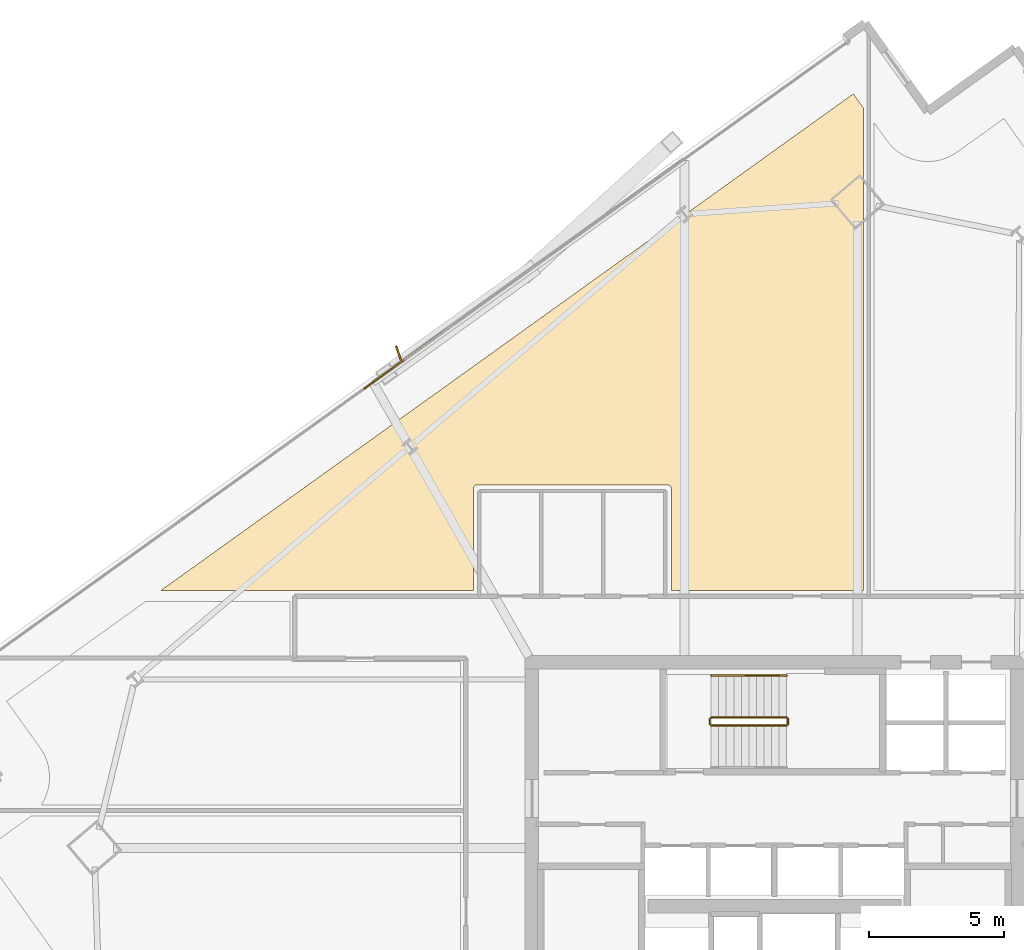
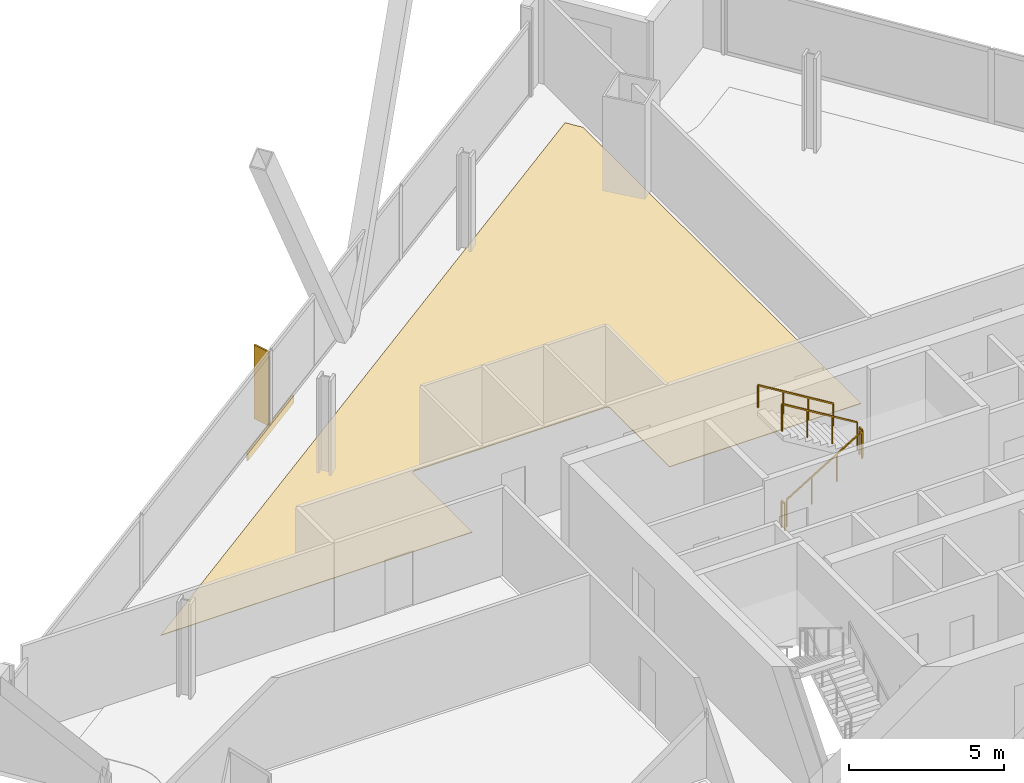
# One storey, part 32 of 33: 5 railings, 2 coverings, 1 shading device.
"""IFC4 building model written with IfcOpenShell, lengths in metres."""

from ifc_helpers import new_model, si_unit, direction, frame, origin, origin_2d, place, context, subcontext, project, spatial, polyline, rectangle, outline, extrude, source, transform, mapped, material, layer, layer_set, type_object, element, save


model = new_model("IFC4")

# Units and contexts
model_context = context("Model", 3, precision=1e-05, world=origin(), true_north=direction((0.0, 1.0)))
body_context = subcontext(model_context, "Body", "Model", "MODEL_VIEW")
ifc_project = project(units=[si_unit("LENGTHUNIT", "METRE"), si_unit("AREAUNIT", "SQUARE_METRE"), si_unit("VOLUMEUNIT", "CUBIC_METRE"), si_unit("PLANEANGLEUNIT", "RADIAN"), si_unit("MASSUNIT", "GRAM", prefix="KILO")], contexts=[model_context])

# Site, building, storey
site_placement = place(None, origin())
site = spatial("IfcSite", under=ifc_project, at=site_placement, CompositionType="ELEMENT")
building_placement = place(site_placement, origin())
building = spatial("IfcBuilding", under=site, at=building_placement, Name="Haldenkirk Collegiate Tower", CompositionType="ELEMENT")
storey_placement = place(building_placement, frame((0.0, 0.0, 148.199951171875)))
storey = spatial("IfcBuildingStorey", under=building, at=storey_placement, Name="L36", CompositionType="ELEMENT", Elevation=148.199951171875)

# Covering
ifc_material_1 = material(Name="Engineered collegiate oak acoustic flooring", Category="wood")
ifc_layer_1 = layer(ifc_material_1, 0.02197265625)
ifc_layer_set_1 = layer_set([ifc_layer_1], Name="Engineered collegiate oak acoustic flooring")
covering_type_1 = type_object("IfcCoveringType", Name="COV-FLOOR-TIMBER", PredefinedType="FLOORING", material=ifc_layer_set_1)
covering_1_placement = place(storey_placement, origin())
element("IfcCovering", 1, at=covering_1_placement, inside=storey, type_object=covering_type_1, Name="L36 academic room finish 05", PredefinedType="FLOORING", context=body_context, shape_type="SweptSolid", body=[
    extrude(outline(polyline([(39.300048828125, 54.564697265625), (39.300048828125, 36.64990234375), (32.169921875, 36.64990234375), (32.169921875, 40.449951171875), (32.16943359375, 40.4619140625), (32.167724609375, 40.473388671875), (32.164794921875, 40.48486328125), (32.160888671875, 40.495849609375), (32.15576171875, 40.506591796875), (32.14990234375, 40.5166015625), (32.142822265625, 40.526123046875), (32.135009765625, 40.534912109375), (32.126220703125, 40.542724609375), (32.11669921875, 40.5498046875), (32.106689453125, 40.555908203125), (32.095947265625, 40.560791015625), (32.084716796875, 40.564697265625), (32.073486328125, 40.567626953125), (32.061767578125, 40.5693359375), (32.050048828125, 40.570068359375), (24.949951171875, 40.570068359375), (24.938232421875, 40.5693359375), (24.926513671875, 40.567626953125), (24.915283203125, 40.564697265625), (24.904052734375, 40.560791015625), (24.893310546875, 40.555908203125), (24.88330078125, 40.5498046875), (24.873779296875, 40.542724609375), (24.864990234375, 40.534912109375), (24.857177734375, 40.526123046875), (24.85009765625, 40.5166015625), (24.84423828125, 40.506591796875), (24.839111328125, 40.495849609375), (24.835205078125, 40.48486328125), (24.832275390625, 40.473388671875), (24.83056640625, 40.4619140625), (24.830078125, 40.449951171875), (24.830078125, 36.64990234375), (13.2216796875, 36.64990234375), (38.92578125, 55.086181640625), (39.300048828125, 54.564697265625)])), origin(), (0.0, 0.0, 1.0), 0.02197265625),
])

# Railings
ifc_material_2 = material(Name="Painted architectural tubular steel", Category="steel")
railing_type_1 = type_object("IfcRailingType", Name="RLG-STAIR-GUARD-1100", PredefinedType="BALUSTRADE", material=ifc_material_2)
railing_1_placement = place(storey_placement, frame((33.64990234375, 31.64990234375, 0.17041015625)))
element("IfcRailing", 2, at=railing_1_placement, inside=storey, type_object=railing_type_1, Name="L36 ST-3 stair guard 1", PredefinedType="BALUSTRADE", context=body_context, shape_type="SweptSolid", body=[
    extrude(rectangle(XDim=0.048095703125, YDim=0.048095703125, at=origin_2d()), frame((0.0, 0.0, 1.076171875), z_axis=(0.854169791009, 0.0, 0.51999420009), x_axis=(0.0, 1.0, 0.0)), (0.0, 0.0, 1.0), 3.278076171875),
    extrude(rectangle(XDim=0.0419921875, YDim=0.0419921875, at=origin_2d()), origin(), (0.0, 0.0, 1.0), 1.052001953125),
    extrude(rectangle(XDim=0.0419921875, YDim=0.0419921875, at=origin_2d()), frame((0.933349609375, 0.0, 0.568115234375)), (0.0, 0.0, 1.0), 1.052001953125),
    extrude(rectangle(XDim=0.0419921875, YDim=0.0419921875, at=origin_2d()), frame((1.86669921875, 0.0, 1.136474609375)), (0.0, 0.0, 1.0), 1.052001953125),
    extrude(rectangle(XDim=0.0419921875, YDim=0.0419921875, at=origin_2d()), frame((2.800048828125, 0.0, 1.70458984375)), (0.0, 0.0, 1.0), 1.052001953125),
])
railing_2_placement = place(storey_placement, frame((36.5, 31.699951171875, 1.875)))
element("IfcRailing", 3, at=railing_2_placement, inside=storey, type_object=railing_type_1, Name="L36 ST-3 stair guard 2", PredefinedType="BALUSTRADE", context=body_context, shape_type="SweptSolid", body=[
    extrude(rectangle(XDim=0.048095703125, YDim=0.048095703125, at=origin_2d()), frame((0.0, 0.0, 1.076171875), z_axis=(0.0, 1.0, 0.0), x_axis=(-1.0, 0.0, 0.0)), (0.0, 0.0, 1.0), 0.199951171875),
    extrude(rectangle(XDim=0.0419921875, YDim=0.0419921875, at=origin_2d()), origin(), (0.0, 0.0, 1.0), 1.052001953125),
    extrude(rectangle(XDim=0.0419921875, YDim=0.0419921875, at=origin_2d()), frame((0.0, 0.199951171875, 0.0)), (0.0, 0.0, 1.0), 1.052001953125),
])
railing_3_placement = place(storey_placement, frame((36.449951171875, 31.949951171875, 2.04541015625)))
element("IfcRailing", 4, at=railing_3_placement, inside=storey, type_object=railing_type_1, Name="L36 ST-3 stair guard 3", PredefinedType="BALUSTRADE", context=body_context, shape_type="SweptSolid", body=[
    extrude(rectangle(XDim=0.048095703125, YDim=0.048095703125, at=origin_2d()), frame((0.0, 0.0, 1.076171875), z_axis=(-0.854169791009, 0.0, 0.51999420009), x_axis=(0.0, -1.0, 0.0)), (0.0, 0.0, 1.0), 3.278076171875),
    extrude(rectangle(XDim=0.0419921875, YDim=0.0419921875, at=origin_2d()), origin(), (0.0, 0.0, 1.0), 1.052001953125),
    extrude(rectangle(XDim=0.0419921875, YDim=0.0419921875, at=origin_2d()), frame((-0.933349609375, 0.0, 0.568115234375)), (0.0, 0.0, 1.0), 1.052001953125),
    extrude(rectangle(XDim=0.0419921875, YDim=0.0419921875, at=origin_2d()), frame((-1.86669921875, 0.0, 1.136474609375)), (0.0, 0.0, 1.0), 1.052001953125),
    extrude(rectangle(XDim=0.0419921875, YDim=0.0419921875, at=origin_2d()), frame((-2.800048828125, 0.0, 1.70458984375)), (0.0, 0.0, 1.0), 1.052001953125),
])
railing_4_placement = place(storey_placement, frame((33.60009765625, 31.699951171875, 0.0)))
element("IfcRailing", 5, at=railing_4_placement, inside=storey, type_object=railing_type_1, Name="L36 ST-3 stair guard 4", PredefinedType="BALUSTRADE", context=body_context, shape_type="SweptSolid", body=[
    extrude(rectangle(XDim=0.048095703125, YDim=0.048095703125, at=origin_2d()), frame((0.0, 0.0, 1.076171875), z_axis=(0.0, 1.0, 0.0), x_axis=(-1.0, 0.0, 0.0)), (0.0, 0.0, 1.0), 0.199951171875),
    extrude(rectangle(XDim=0.0419921875, YDim=0.0419921875, at=origin_2d()), origin(), (0.0, 0.0, 1.0), 1.052001953125),
    extrude(rectangle(XDim=0.0419921875, YDim=0.0419921875, at=origin_2d()), frame((0.0, 0.199951171875, 0.0)), (0.0, 0.0, 1.0), 1.052001953125),
])
railing_type_2 = type_object("IfcRailingType", Name="RLG-STAIR-HANDRAIL-900", PredefinedType="HANDRAIL", material=ifc_material_2)
railing_5_placement = place(storey_placement, frame((36.449951171875, 33.5, 2.04541015625)))
element("IfcRailing", 6, at=railing_5_placement, inside=storey, type_object=railing_type_2, Name="L36 ST-3 stair handrail 2", PredefinedType="HANDRAIL", context=body_context, shape_type="SweptSolid", body=[
    extrude(rectangle(XDim=0.048095703125, YDim=0.048095703125, at=origin_2d()), frame((0.0, 0.0, 0.8759765625), z_axis=(-0.854169791009, 0.0, 0.51999420009), x_axis=(0.0, -1.0, 0.0)), (0.0, 0.0, 1.0), 3.278076171875),
    extrude(rectangle(XDim=0.0419921875, YDim=0.0419921875, at=origin_2d()), origin(), (0.0, 0.0, 1.0), 0.851806640625),
    extrude(rectangle(XDim=0.0419921875, YDim=0.0419921875, at=origin_2d()), frame((-0.933349609375, 0.0, 0.568115234375)), (0.0, 0.0, 1.0), 0.851806640625),
    extrude(rectangle(XDim=0.0419921875, YDim=0.0419921875, at=origin_2d()), frame((-1.86669921875, 0.0, 1.136474609375)), (0.0, 0.0, 1.0), 0.851806640625),
    extrude(rectangle(XDim=0.0419921875, YDim=0.0419921875, at=origin_2d()), frame((-2.800048828125, 0.0, 1.70458984375)), (0.0, 0.0, 1.0), 0.851806640625),
])

# Covering
ifc_material_3 = material(Name="Anodised architectural bronze aluminium", Category="aluminium")
ifc_layer_2 = layer(ifc_material_3, 0.06005859375)
ifc_layer_set_2 = layer_set([ifc_layer_2], Name="Anodised architectural bronze aluminium")
covering_type_2 = type_object("IfcCoveringType", Name="COV-CLAD-BRONZE-60", PredefinedType="CLADDING", material=ifc_layer_set_2)
shared_shape_1 = source(origin(), body_context, "Body", "SweptSolid", [
    extrude(rectangle(XDim=3.60009765625, YDim=0.06005859375, at=origin_2d()), origin(), (0.0, 0.0, 1.0), 0.300048828125),
])
covering_2_placement = place(storey_placement, frame((22.2333984375, 45.193359375, -0.2998046875), z_axis=(0.0, 0.0, 1.0), x_axis=(0.812592453382, 0.582832312683, 0.0)))
element("IfcCovering", 7, at=covering_2_placement, inside=storey, type_object=covering_type_2, Name="L36 architectural bronze spandrel cladding N", PredefinedType="CLADDING", context=body_context, shape_type="MappedRepresentation", body=[
    mapped(shared_shape_1, transform((0.0, 0.0, 0.0), x_axis=(1.0, 0.0, 0.0), y_axis=(0.0, 1.0, 0.0), z_axis=(0.0, 0.0, 1.0), scale=1.0)),
])

# Shading device
ifc_layer_3 = layer(ifc_material_3, 0.06494140625)
ifc_layer_set_3 = layer_set([ifc_layer_3], Name="Anodised architectural bronze aluminium")
shading_device_type = type_object("IfcShadingDeviceType", Name="SHD-FIN-BRONZE-620", PredefinedType="USERDEFINED", material=ifc_layer_set_3)
shared_shape_2 = source(origin(), body_context, "Body", "SweptSolid", [
    extrude(rectangle(XDim=0.6201171875, YDim=0.06494140625, at=origin_2d()), origin(), (0.0, 0.0, 1.0), 2.910888671875),
])
shading_device_placement = place(storey_placement, frame((22.0615234375, 45.43310546875, 0.0), z_axis=(0.0, 0.0, 1.0), x_axis=(-0.33627354213, 0.941764357397, 0.0)))
element("IfcShadingDevice", 8, at=shading_device_placement, inside=storey, type_object=shading_device_type, Name="L36 folded bronze solar fin 1", ObjectType="FIN", PredefinedType="USERDEFINED", context=body_context, shape_type="MappedRepresentation", body=[
    mapped(shared_shape_2, transform((0.0, 0.0, 0.0), x_axis=(1.0, 0.0, 0.0), y_axis=(0.0, 1.0, 0.0), z_axis=(0.0, 0.0, 1.0), scale=1.0)),
])

save(model, "model.ifc")
